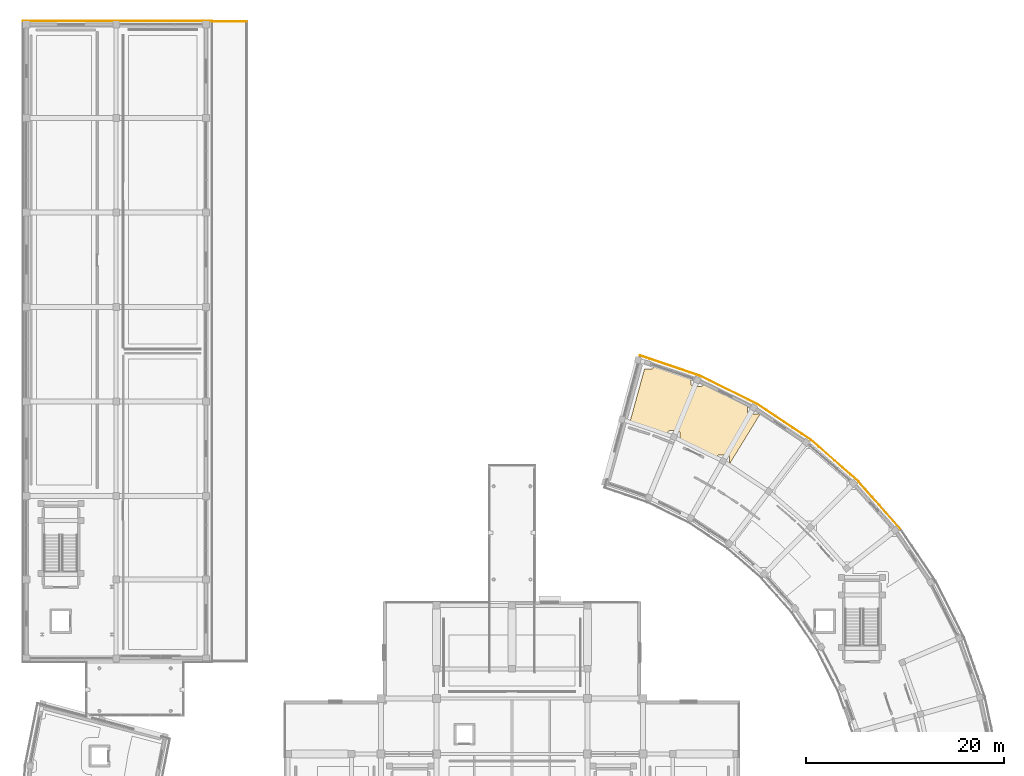
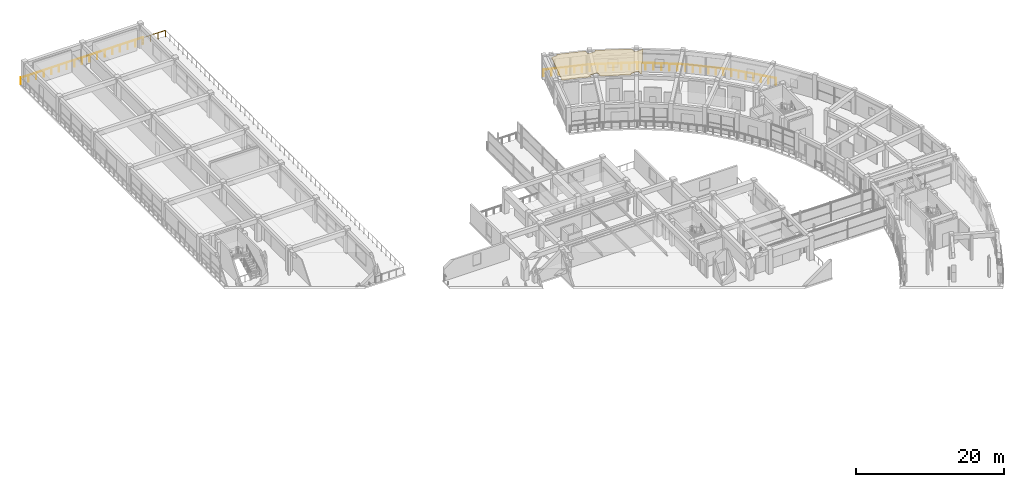
# One storey, part 70 of 70: 7 railings, 1 covering.
"""IFC4 building model written with IfcOpenShell, lengths in metres."""

from ifc_helpers import new_model, si_unit, direction, frame, origin, origin_2d, place, context, subcontext, project, spatial, polyline, rectangle, outline, extrude, material, layer, layer_set, type_object, element, save


model = new_model("IFC4")

# Units and contexts
model_context = context("Model", 3, precision=1e-05, world=origin(), true_north=direction((0.0, 1.0)))
body_context = subcontext(model_context, "Body", "Model", "MODEL_VIEW")
ifc_project = project(units=[si_unit("LENGTHUNIT", "METRE"), si_unit("AREAUNIT", "SQUARE_METRE"), si_unit("VOLUMEUNIT", "CUBIC_METRE"), si_unit("PLANEANGLEUNIT", "RADIAN"), si_unit("MASSUNIT", "GRAM", prefix="KILO")], contexts=[model_context])

# Site, building, storey
site_placement = place(None, origin())
site = spatial("IfcSite", under=ifc_project, at=site_placement, CompositionType="ELEMENT")
building_placement = place(site_placement, origin())
building = spatial("IfcBuilding", under=site, at=building_placement, Name="Saryqyr Civic Hall", CompositionType="ELEMENT")
storey_placement = place(building_placement, frame((0.0, 0.0, 13.199951171875)))
storey = spatial("IfcBuildingStorey", under=building, at=storey_placement, Name="L03", CompositionType="ELEMENT", Elevation=13.199951171875)

# Railing
ifc_material_1 = material(Name="Stainless steel and laminated glass", Category="steel")
ifc_layer_1 = layer(ifc_material_1, 0.06005859375, Name="Stainless steel and laminated glass")
ifc_layer_set_1 = layer_set([ifc_layer_1], Name="Stainless steel and laminated glass")
railing_type_1 = type_object("IfcRailingType", Name="ENV-RLG-BAL-1100", PredefinedType="BALUSTRADE", material=ifc_layer_set_1)
railing_1_placement = place(storey_placement, frame((30.239990234375, 165.43994140625, 0.0)))
element("IfcRailing", 1, at=railing_1_placement, inside=storey, type_object=railing_type_1, Name="Perimeter safety balustrade V3-TERR-L03-G03", PredefinedType="BALUSTRADE", context=body_context, shape_type="SweptSolid", body=[
    extrude(rectangle(XDim=0.048095703125, YDim=0.048095703125, at=origin_2d()), frame((0.0, 0.0, 1.076171875), z_axis=(-1.0, 0.0, 0.0), x_axis=(0.0, -1.0, 0.0)), (0.0, 0.0, 1.0), 3.47998046875),
    extrude(rectangle(XDim=0.0419921875, YDim=0.0419921875, at=origin_2d()), origin(), (0.0, 0.0, 1.0), 1.052001953125),
    extrude(rectangle(XDim=0.0419921875, YDim=0.0419921875, at=origin_2d()), frame((-1.159912109375, 0.0, 0.0)), (0.0, 0.0, 1.0), 1.052001953125),
    extrude(rectangle(XDim=0.0419921875, YDim=0.0419921875, at=origin_2d()), frame((-2.320068359375, 0.0, 0.0)), (0.0, 0.0, 1.0), 1.052001953125),
    extrude(rectangle(XDim=0.0419921875, YDim=0.0419921875, at=origin_2d()), frame((-3.47998046875, 0.0, 0.0)), (0.0, 0.0, 1.0), 1.052001953125),
])

# Covering
ifc_material_2 = material(Name="Mineral-fibre acoustic ceiling tile", Category="acoustic_tile")
ifc_layer_2 = layer(ifc_material_2, 0.06005859375, Name="Mineral-fibre acoustic ceiling tile")
ifc_layer_set_2 = layer_set([ifc_layer_2], Name="Mineral-fibre acoustic ceiling tile")
covering_type = type_object("IfcCoveringType", Name="INT-COV-CEIL-60", PredefinedType="CEILING", material=ifc_layer_set_2)
covering_placement = place(storey_placement, frame((0.0, 0.0, 3.72998046875)))
element("IfcCovering", 2, at=covering_placement, inside=storey, type_object=covering_type, Name="Acoustic ceiling Staff & Accessible MGN WC L03-N", PredefinedType="CEILING", context=body_context, shape_type="SweptSolid", body=[
    extrude(outline(polyline([(78.90576171875, 121.541015625), (78.902099609375, 121.5654296875), (78.896240234375, 121.589111328125), (78.887939453125, 121.6123046875), (78.87744140625, 121.634521484375), (78.864990234375, 121.655517578125), (78.850341796875, 121.67529296875), (78.833740234375, 121.693359375), (78.815673828125, 121.7099609375), (78.7958984375, 121.724609375), (78.77490234375, 121.737060546875), (78.752685546875, 121.74755859375), (78.7294921875, 121.755859375), (78.705810546875, 121.76171875), (78.681396484375, 121.765380859375), (78.656982421875, 121.7666015625), (77.89697265625, 121.7666015625), (77.87255859375, 121.765380859375), (77.84814453125, 121.76171875), (77.824462890625, 121.755859375), (77.80126953125, 121.74755859375), (77.779296875, 121.737060546875), (77.758056640625, 121.724609375), (77.73828125, 121.7099609375), (77.72021484375, 121.693359375), (77.70361328125, 121.67529296875), (77.689208984375, 121.655517578125), (77.676513671875, 121.634521484375), (77.666015625, 121.6123046875), (77.65771484375, 121.589111328125), (77.65185546875, 121.5654296875), (77.648193359375, 121.541015625), (77.64697265625, 121.5166015625), (77.64697265625, 121.406494140625), (76.74755859375, 121.915283203125), (76.71337890625, 121.93310546875), (74.034912109375, 123.208984375), (73.99951171875, 123.224365234375), (73.943359375, 123.246337890625), (73.943359375, 123.94921875), (73.942138671875, 123.9736328125), (73.9384765625, 123.997802734375), (73.9326171875, 124.021728515625), (73.92431640625, 124.044921875), (73.913818359375, 124.06689453125), (73.901123046875, 124.087890625), (73.88671875, 124.107666015625), (73.8701171875, 124.1259765625), (73.851806640625, 124.142333984375), (73.832275390625, 124.156982421875), (73.81103515625, 124.169677734375), (73.7890625, 124.18017578125), (73.765869140625, 124.188232421875), (73.7421875, 124.1943359375), (73.7177734375, 124.197998046875), (73.693359375, 124.19921875), (72.933349609375, 124.19921875), (72.90869140625, 124.197998046875), (72.884521484375, 124.1943359375), (72.860595703125, 124.188232421875), (72.837646484375, 124.18017578125), (72.8154296875, 124.169677734375), (72.79443359375, 124.156982421875), (72.774658203125, 124.142333984375), (72.756591796875, 124.1259765625), (72.739990234375, 124.107666015625), (72.725341796875, 124.087890625), (72.712890625, 124.06689453125), (72.702392578125, 124.044921875), (72.694091796875, 124.021728515625), (72.68798828125, 123.997802734375), (72.6845703125, 123.9736328125), (72.683349609375, 123.94921875), (72.683349609375, 123.7412109375), (71.23828125, 124.308837890625), (71.201904296875, 124.32177734375), (68.877685546875, 125.05078125), (70.35791015625, 130.42431640625), (71.050537109375, 130.42431640625), (71.0751953125, 130.425537109375), (71.099365234375, 130.42919921875), (71.123291015625, 130.435302734375), (71.146240234375, 130.443359375), (71.16845703125, 130.453857421875), (71.189453125, 130.466552734375), (71.209228515625, 130.481201171875), (71.227294921875, 130.49755859375), (71.243896484375, 130.515869140625), (71.258544921875, 130.535400390625), (71.27099609375, 130.556640625), (71.281494140625, 130.57861328125), (71.289794921875, 130.601806640625), (71.2958984375, 130.62548828125), (71.29931640625, 130.64990234375), (71.300537109375, 130.67431640625), (71.300537109375, 130.734130859375), (74.513671875, 129.6572265625), (75.04638671875, 129.447998046875), (75.04638671875, 128.921142578125), (75.047607421875, 128.896484375), (75.05126953125, 128.872314453125), (75.05712890625, 128.848388671875), (75.0654296875, 128.825439453125), (75.075927734375, 128.80322265625), (75.08837890625, 128.7822265625), (75.10302734375, 128.762451171875), (75.11962890625, 128.744384765625), (75.1376953125, 128.727783203125), (75.157470703125, 128.713134765625), (75.1787109375, 128.70068359375), (75.20068359375, 128.690185546875), (75.223876953125, 128.681884765625), (75.24755859375, 128.67578125), (75.27197265625, 128.67236328125), (75.29638671875, 128.671142578125), (76.056396484375, 128.671142578125), (76.080810546875, 128.67236328125), (76.105224609375, 128.67578125), (76.12890625, 128.681884765625), (76.152099609375, 128.690185546875), (76.17431640625, 128.70068359375), (76.1953125, 128.713134765625), (76.215087890625, 128.727783203125), (76.233154296875, 128.744384765625), (76.249755859375, 128.762451171875), (76.264404296875, 128.7822265625), (76.27685546875, 128.80322265625), (76.287353515625, 128.825439453125), (76.295654296875, 128.848388671875), (76.301513671875, 128.872314453125), (76.30517578125, 128.896484375), (76.306396484375, 128.921142578125), (76.306396484375, 128.953125), (76.390869140625, 128.919921875), (80.4189453125, 126.93359375), (80.72900390625, 126.758056640625), (80.72900390625, 126.13623046875), (80.730224609375, 126.11181640625), (80.73388671875, 126.08740234375), (80.739990234375, 126.063720703125), (80.748046875, 126.04052734375), (80.758544921875, 126.0185546875), (80.771240234375, 125.997314453125), (80.785888671875, 125.977783203125), (80.80224609375, 125.95947265625), (80.820556640625, 125.943115234375), (80.840087890625, 125.928466796875), (80.861328125, 125.915771484375), (80.88330078125, 125.9052734375), (80.906494140625, 125.897216796875), (80.930419921875, 125.89111328125), (80.95458984375, 125.887451171875), (80.97900390625, 125.88623046875), (81.739013671875, 125.88623046875), (81.763671875, 125.887451171875), (81.787841796875, 125.89111328125), (81.811767578125, 125.897216796875), (81.834716796875, 125.9052734375), (81.85693359375, 125.915771484375), (81.8779296875, 125.928466796875), (81.897705078125, 125.943115234375), (81.916015625, 125.95947265625), (81.932373046875, 125.977783203125), (81.947021484375, 125.997314453125), (81.959716796875, 126.0185546875), (81.97021484375, 126.04052734375), (81.974609375, 126.05322265625), (82.080322265625, 125.99365234375), (78.906982421875, 120.818359375), (78.906982421875, 121.5166015625), (78.90576171875, 121.541015625)])), origin(), (0.0, 0.0, 1.0), 0.06005859375),
])

# Railings
ifc_material_3 = material(Name="Warm brushed brass and laminated glass", Category="glass")
ifc_layer_3 = layer(ifc_material_3, 0.06005859375, Name="Warm brushed brass and laminated glass")
ifc_layer_set_3 = layer_set([ifc_layer_3], Name="Warm brushed brass and laminated glass")
railing_type_2 = type_object("IfcRailingType", Name="INT-RLG-BAL-1100", PredefinedType="BALUSTRADE", material=ifc_layer_set_3)
railing_2_placement = place(storey_placement, frame((7.699951171875, 165.5, 0.0)))
element("IfcRailing", 3, at=railing_2_placement, inside=storey, type_object=railing_type_2, Name="Interior deck safety balustrade L03-017", PredefinedType="BALUSTRADE", context=body_context, shape_type="SweptSolid", body=[
    extrude(rectangle(XDim=0.048095703125, YDim=0.048095703125, at=origin_2d()), frame((0.0, 0.0, 1.09619140625), z_axis=(1.0, 0.0, 0.0), x_axis=(0.0, 1.0, 0.0)), (0.0, 0.0, 1.0), 19.06005859375),
    extrude(rectangle(XDim=0.0419921875, YDim=0.0419921875, at=origin_2d()), origin(), (0.0, 0.0, 1.0), 1.072021484375),
    extrude(rectangle(XDim=0.0419921875, YDim=0.0419921875, at=origin_2d()), frame((1.191162109375, 0.0, 0.0)), (0.0, 0.0, 1.0), 1.072021484375),
    extrude(rectangle(XDim=0.0419921875, YDim=0.0419921875, at=origin_2d()), frame((2.382568359375, 0.0, 0.0)), (0.0, 0.0, 1.0), 1.072021484375),
    extrude(rectangle(XDim=0.0419921875, YDim=0.0419921875, at=origin_2d()), frame((3.57373046875, 0.0, 0.0)), (0.0, 0.0, 1.0), 1.072021484375),
    extrude(rectangle(XDim=0.0419921875, YDim=0.0419921875, at=origin_2d()), frame((4.76513671875, 0.0, 0.0)), (0.0, 0.0, 1.0), 1.072021484375),
    extrude(rectangle(XDim=0.0419921875, YDim=0.0419921875, at=origin_2d()), frame((5.956298828125, 0.0, 0.0)), (0.0, 0.0, 1.0), 1.072021484375),
    extrude(rectangle(XDim=0.0419921875, YDim=0.0419921875, at=origin_2d()), frame((7.1474609375, 0.0, 0.0)), (0.0, 0.0, 1.0), 1.072021484375),
    extrude(rectangle(XDim=0.0419921875, YDim=0.0419921875, at=origin_2d()), frame((8.3388671875, 0.0, 0.0)), (0.0, 0.0, 1.0), 1.072021484375),
    extrude(rectangle(XDim=0.0419921875, YDim=0.0419921875, at=origin_2d()), frame((9.530029296875, 0.0, 0.0)), (0.0, 0.0, 1.0), 1.072021484375),
    extrude(rectangle(XDim=0.0419921875, YDim=0.0419921875, at=origin_2d()), frame((10.72119140625, 0.0, 0.0)), (0.0, 0.0, 1.0), 1.072021484375),
    extrude(rectangle(XDim=0.0419921875, YDim=0.0419921875, at=origin_2d()), frame((11.91259765625, 0.0, 0.0)), (0.0, 0.0, 1.0), 1.072021484375),
    extrude(rectangle(XDim=0.0419921875, YDim=0.0419921875, at=origin_2d()), frame((13.103759765625, 0.0, 0.0)), (0.0, 0.0, 1.0), 1.072021484375),
    extrude(rectangle(XDim=0.0419921875, YDim=0.0419921875, at=origin_2d()), frame((14.294921875, 0.0, 0.0)), (0.0, 0.0, 1.0), 1.072021484375),
    extrude(rectangle(XDim=0.0419921875, YDim=0.0419921875, at=origin_2d()), frame((15.486328125, 0.0, 0.0)), (0.0, 0.0, 1.0), 1.072021484375),
    extrude(rectangle(XDim=0.0419921875, YDim=0.0419921875, at=origin_2d()), frame((16.677490234375, 0.0, 0.0)), (0.0, 0.0, 1.0), 1.072021484375),
    extrude(rectangle(XDim=0.0419921875, YDim=0.0419921875, at=origin_2d()), frame((17.868896484375, 0.0, 0.0)), (0.0, 0.0, 1.0), 1.072021484375),
    extrude(rectangle(XDim=0.0419921875, YDim=0.0419921875, at=origin_2d()), frame((19.06005859375, 0.0, 0.0)), (0.0, 0.0, 1.0), 1.072021484375),
])
railing_3_placement = place(storey_placement, frame((69.906494140625, 131.781005859375, 0.0)))
element("IfcRailing", 4, at=railing_3_placement, inside=storey, type_object=railing_type_2, Name="Interior deck safety balustrade L03-047", PredefinedType="BALUSTRADE", context=body_context, shape_type="SweptSolid", body=[
    extrude(rectangle(XDim=0.048095703125, YDim=0.048095703125, at=origin_2d()), frame((0.0, 0.0, 1.09619140625), z_axis=(0.946914589927, -0.321485239761, 0.0), x_axis=(0.321485239761, 0.946914589927, 0.0)), (0.0, 0.0, 1.0), 6.37451171875),
    extrude(rectangle(XDim=0.0419921875, YDim=0.0419921875, at=origin_2d()), origin(), (0.0, 0.0, 1.0), 1.072021484375),
    extrude(rectangle(XDim=0.0419921875, YDim=0.0419921875, at=origin_2d()), frame((1.006103515625, -0.341552734375, 0.0)), (0.0, 0.0, 1.0), 1.072021484375),
    extrude(rectangle(XDim=0.0419921875, YDim=0.0419921875, at=origin_2d()), frame((2.011962890625, -0.68310546875, 0.0)), (0.0, 0.0, 1.0), 1.072021484375),
    extrude(rectangle(XDim=0.0419921875, YDim=0.0419921875, at=origin_2d()), frame((3.01806640625, -1.024658203125, 0.0)), (0.0, 0.0, 1.0), 1.072021484375),
    extrude(rectangle(XDim=0.0419921875, YDim=0.0419921875, at=origin_2d()), frame((4.024169921875, -1.3662109375, 0.0)), (0.0, 0.0, 1.0), 1.072021484375),
    extrude(rectangle(XDim=0.0419921875, YDim=0.0419921875, at=origin_2d()), frame((5.030029296875, -1.707763671875, 0.0)), (0.0, 0.0, 1.0), 1.072021484375),
    extrude(rectangle(XDim=0.0419921875, YDim=0.0419921875, at=origin_2d()), frame((6.0361328125, -2.04931640625, 0.0)), (0.0, 0.0, 1.0), 1.072021484375),
])
railing_4_placement = place(storey_placement, frame((75.942626953125, 129.731689453125, 0.0)))
element("IfcRailing", 5, at=railing_4_placement, inside=storey, type_object=railing_type_2, Name="Interior deck safety balustrade L03-048", PredefinedType="BALUSTRADE", context=body_context, shape_type="SweptSolid", body=[
    extrude(rectangle(XDim=0.048095703125, YDim=0.048095703125, at=origin_2d()), frame((0.0, 0.0, 1.09619140625), z_axis=(0.89689443152, -0.442244704557, 0.0), x_axis=(0.442244704557, 0.89689443152, 0.0)), (0.0, 0.0, 1.0), 6.47509765625),
    extrude(rectangle(XDim=0.0419921875, YDim=0.0419921875, at=origin_2d()), origin(), (0.0, 0.0, 1.0), 1.072021484375),
    extrude(rectangle(XDim=0.0419921875, YDim=0.0419921875, at=origin_2d()), frame((0.9677734375, -0.477294921875, 0.0)), (0.0, 0.0, 1.0), 1.072021484375),
    extrude(rectangle(XDim=0.0419921875, YDim=0.0419921875, at=origin_2d()), frame((1.935791015625, -0.95458984375, 0.0)), (0.0, 0.0, 1.0), 1.072021484375),
    extrude(rectangle(XDim=0.0419921875, YDim=0.0419921875, at=origin_2d()), frame((2.90380859375, -1.431640625, 0.0)), (0.0, 0.0, 1.0), 1.072021484375),
    extrude(rectangle(XDim=0.0419921875, YDim=0.0419921875, at=origin_2d()), frame((3.87158203125, -1.908935546875, 0.0)), (0.0, 0.0, 1.0), 1.072021484375),
    extrude(rectangle(XDim=0.0419921875, YDim=0.0419921875, at=origin_2d()), frame((4.83935546875, -2.38623046875, 0.0)), (0.0, 0.0, 1.0), 1.072021484375),
    extrude(rectangle(XDim=0.0419921875, YDim=0.0419921875, at=origin_2d()), frame((5.807373046875, -2.863525390625, 0.0)), (0.0, 0.0, 1.0), 1.072021484375),
])
railing_5_placement = place(storey_placement, frame((81.75, 126.8681640625, 0.0)))
element("IfcRailing", 6, at=railing_5_placement, inside=storey, type_object=railing_type_2, Name="Interior deck safety balustrade L03-049", PredefinedType="BALUSTRADE", context=body_context, shape_type="SweptSolid", body=[
    extrude(rectangle(XDim=0.048095703125, YDim=0.048095703125, at=origin_2d()), frame((0.0, 0.0, 1.09619140625), z_axis=(0.831452318502, -0.55559611415, 0.0), x_axis=(0.55559611415, 0.831452318502, 0.0)), (0.0, 0.0, 1.0), 6.474853515625),
    extrude(rectangle(XDim=0.0419921875, YDim=0.0419921875, at=origin_2d()), origin(), (0.0, 0.0, 1.0), 1.072021484375),
    extrude(rectangle(XDim=0.0419921875, YDim=0.0419921875, at=origin_2d()), frame((0.897216796875, -0.599609375, 0.0)), (0.0, 0.0, 1.0), 1.072021484375),
    extrude(rectangle(XDim=0.0419921875, YDim=0.0419921875, at=origin_2d()), frame((1.79443359375, -1.19921875, 0.0)), (0.0, 0.0, 1.0), 1.072021484375),
    extrude(rectangle(XDim=0.0419921875, YDim=0.0419921875, at=origin_2d()), frame((2.69189453125, -1.798828125, 0.0)), (0.0, 0.0, 1.0), 1.072021484375),
    extrude(rectangle(XDim=0.0419921875, YDim=0.0419921875, at=origin_2d()), frame((3.589111328125, -2.398193359375, 0.0)), (0.0, 0.0, 1.0), 1.072021484375),
    extrude(rectangle(XDim=0.0419921875, YDim=0.0419921875, at=origin_2d()), frame((4.486328125, -2.997802734375, 0.0)), (0.0, 0.0, 1.0), 1.072021484375),
    extrude(rectangle(XDim=0.0419921875, YDim=0.0419921875, at=origin_2d()), frame((5.383544921875, -3.597412109375, 0.0)), (0.0, 0.0, 1.0), 1.072021484375),
])
railing_6_placement = place(storey_placement, frame((87.133544921875, 123.270751953125, 0.0)))
element("IfcRailing", 7, at=railing_6_placement, inside=storey, type_object=railing_type_2, Name="Interior deck safety balustrade L03-050", PredefinedType="BALUSTRADE", context=body_context, shape_type="SweptSolid", body=[
    extrude(rectangle(XDim=0.048095703125, YDim=0.048095703125, at=origin_2d()), frame((0.0, 0.0, 1.09619140625), z_axis=(0.752633781672, -0.658439359915, 0.0), x_axis=(0.658439359915, 0.752633781672, 0.0)), (0.0, 0.0, 1.0), 6.35791015625),
    extrude(rectangle(XDim=0.0419921875, YDim=0.0419921875, at=origin_2d()), origin(), (0.0, 0.0, 1.0), 1.072021484375),
    extrude(rectangle(XDim=0.0419921875, YDim=0.0419921875, at=origin_2d()), frame((0.797607421875, -0.69775390625, 0.0)), (0.0, 0.0, 1.0), 1.072021484375),
    extrude(rectangle(XDim=0.0419921875, YDim=0.0419921875, at=origin_2d()), frame((1.594970703125, -1.3955078125, 0.0)), (0.0, 0.0, 1.0), 1.072021484375),
    extrude(rectangle(XDim=0.0419921875, YDim=0.0419921875, at=origin_2d()), frame((2.392578125, -2.09326171875, 0.0)), (0.0, 0.0, 1.0), 1.072021484375),
    extrude(rectangle(XDim=0.0419921875, YDim=0.0419921875, at=origin_2d()), frame((3.190185546875, -2.790771484375, 0.0)), (0.0, 0.0, 1.0), 1.072021484375),
    extrude(rectangle(XDim=0.0419921875, YDim=0.0419921875, at=origin_2d()), frame((3.987548828125, -3.488525390625, 0.0)), (0.0, 0.0, 1.0), 1.072021484375),
    extrude(rectangle(XDim=0.0419921875, YDim=0.0419921875, at=origin_2d()), frame((4.78515625, -4.186279296875, 0.0)), (0.0, 0.0, 1.0), 1.072021484375),
])
railing_7_placement = place(storey_placement, frame((91.918701171875, 119.08447265625, 0.0)))
element("IfcRailing", 8, at=railing_7_placement, inside=storey, type_object=railing_type_2, Name="Interior deck safety balustrade L03-051", PredefinedType="BALUSTRADE", context=body_context, shape_type="SweptSolid", body=[
    extrude(rectangle(XDim=0.048095703125, YDim=0.048095703125, at=origin_2d()), frame((0.0, 0.0, 1.09619140625), z_axis=(0.661996204778, -0.749507187997, 0.0), x_axis=(0.749507187997, 0.661996204778, 0.0)), (0.0, 0.0, 1.0), 6.35791015625),
    extrude(rectangle(XDim=0.0419921875, YDim=0.0419921875, at=origin_2d()), origin(), (0.0, 0.0, 1.0), 1.072021484375),
    extrude(rectangle(XDim=0.0419921875, YDim=0.0419921875, at=origin_2d()), frame((0.701416015625, -0.794189453125, 0.0)), (0.0, 0.0, 1.0), 1.072021484375),
    extrude(rectangle(XDim=0.0419921875, YDim=0.0419921875, at=origin_2d()), frame((1.403076171875, -1.58837890625, 0.0)), (0.0, 0.0, 1.0), 1.072021484375),
    extrude(rectangle(XDim=0.0419921875, YDim=0.0419921875, at=origin_2d()), frame((2.1044921875, -2.3828125, 0.0)), (0.0, 0.0, 1.0), 1.072021484375),
    extrude(rectangle(XDim=0.0419921875, YDim=0.0419921875, at=origin_2d()), frame((2.805908203125, -3.177001953125, 0.0)), (0.0, 0.0, 1.0), 1.072021484375),
    extrude(rectangle(XDim=0.0419921875, YDim=0.0419921875, at=origin_2d()), frame((3.507568359375, -3.97119140625, 0.0)), (0.0, 0.0, 1.0), 1.072021484375),
    extrude(rectangle(XDim=0.0419921875, YDim=0.0419921875, at=origin_2d()), frame((4.208984375, -4.765380859375, 0.0)), (0.0, 0.0, 1.0), 1.072021484375),
])

save(model, "model.ifc")
